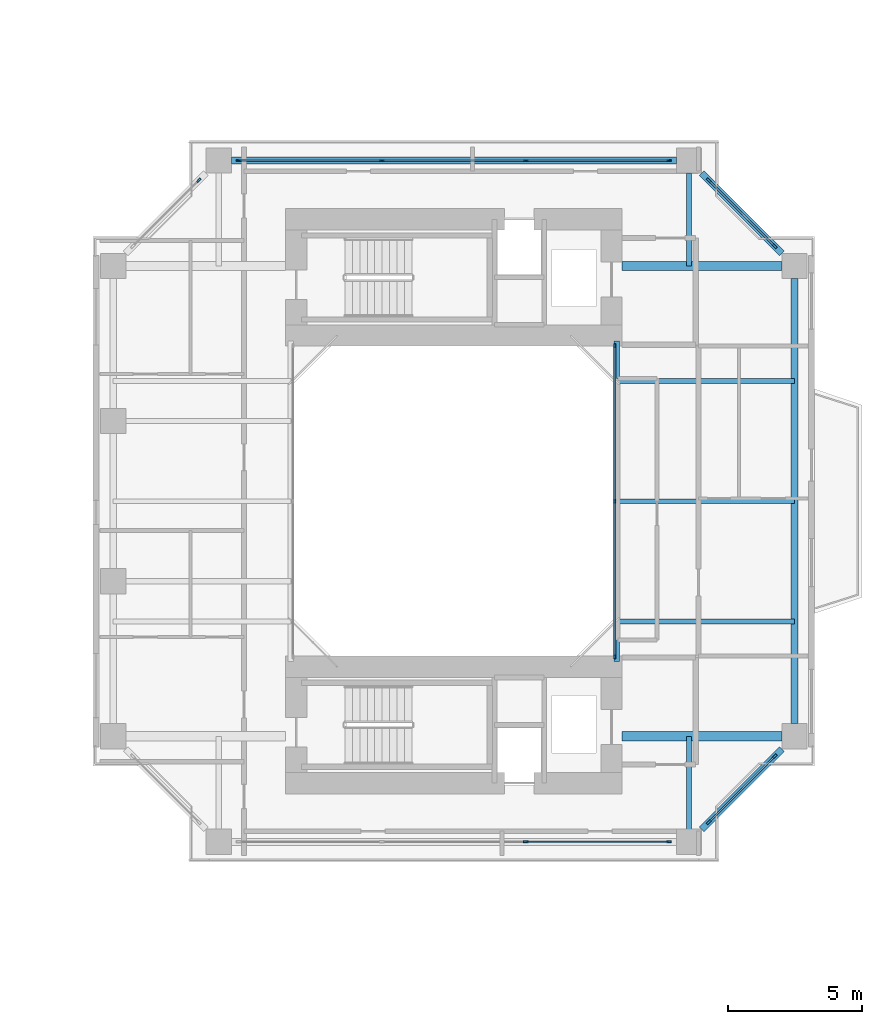
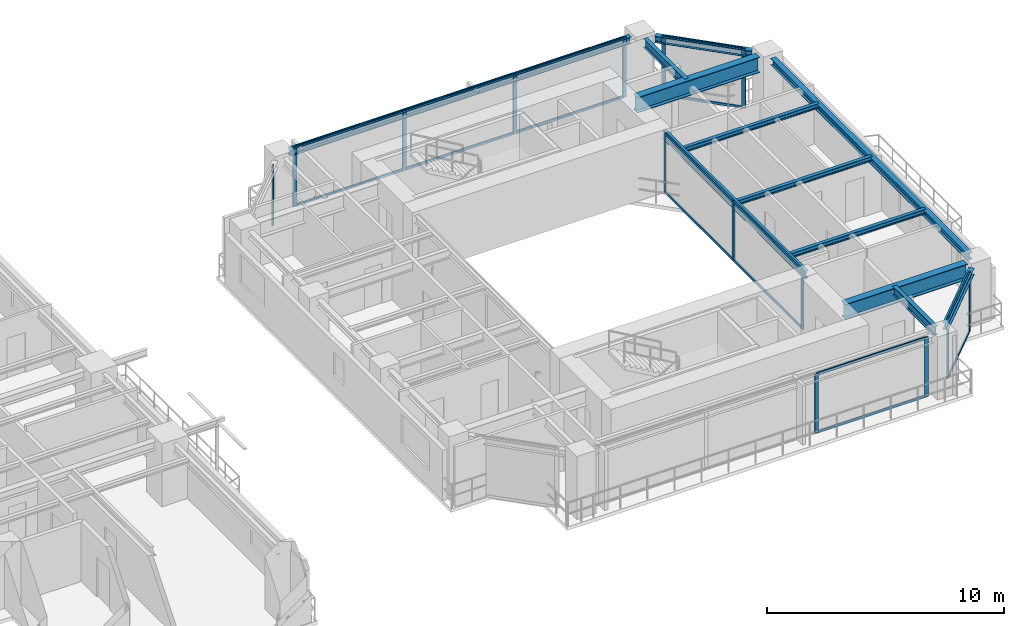
# One storey, part 10 of 23: 30 members, 12 beams, 6 elements without a shape of their own.
"""IFC4 building model written with IfcOpenShell, lengths in metres."""

from ifc_helpers import new_model, si_unit, direction, frame, origin, origin_2d, place, context, subcontext, project, spatial, rectangle, i_section, extrude, source, transform, mapped, material, layer, layer_set, material_profile, profile_set, type_object, element, aggregate, save


model = new_model("IFC4")

# Units and contexts
model_context = context("Model", 3, precision=1e-05, world=origin(), true_north=direction((0.0, 1.0)))
body_context = subcontext(model_context, "Body", "Model", "MODEL_VIEW")
ifc_project = project(units=[si_unit("LENGTHUNIT", "METRE"), si_unit("AREAUNIT", "SQUARE_METRE"), si_unit("VOLUMEUNIT", "CUBIC_METRE"), si_unit("PLANEANGLEUNIT", "RADIAN"), si_unit("MASSUNIT", "GRAM", prefix="KILO"), si_unit("THERMODYNAMICTEMPERATUREUNIT", "KELVIN"), si_unit("POWERUNIT", "WATT")], contexts=[model_context])

# Site, building, storey
site_placement = place(None, origin())
site = spatial("IfcSite", under=ifc_project, at=site_placement, CompositionType="ELEMENT")
building_placement = place(site_placement, origin())
building = spatial("IfcBuilding", under=site, at=building_placement, Name="Qiaomeng Ring Towers", CompositionType="ELEMENT")
storey_placement = place(building_placement, frame((0.0, 0.0, 29.5)))
storey = spatial("IfcBuildingStorey", under=building, at=storey_placement, Name="L07", CompositionType="ELEMENT", Elevation=29.5)

# Beams
ifc_material_1 = material(Name="Steel Q355B", Category="steel")
ifc_material_profile_1 = material_profile(ifc_material_1, i_section(OverallWidth=0.25, OverallDepth=0.340087890625, WebThickness=0.009033203125, FlangeThickness=0.013916015625, FilletRadius=0.02001953125, at=origin_2d()), Name="HM 340x250x9x14")
ifc_profile_set_1 = profile_set([ifc_material_profile_1], Name="Steel Q355B")
beam_type_1 = type_object("IfcBeamType", Name="STR-BM-HM340", PredefinedType="SPANDREL", material=ifc_profile_set_1)
shared_shape_1 = source(origin(), body_context, "Body", "SweptSolid", [
    extrude(i_section(OverallWidth=0.25, OverallDepth=0.340087890625, WebThickness=0.009033203125, FlangeThickness=0.013916015625, FilletRadius=0.02001953125, at=origin_2d()), origin(), (0.0, 0.0, 1.0), 16.65185546875),
])
for number, where, z_axis, x_axis, name in (
    (1, (73.25, 14.674072265625, 2.89990234375), (0.0, 1.0, 0.0), (-1.0, 0.0, 0.0), "L07 beam STR-SP-L07-T2-E1-E2"),
    (2, (68.825927734375, 35.75, 2.89990234375), (-1.0, 0.0, 0.0), (0.0, -1.0, 0.0), "L07 beam STR-SP-L07-T2-N2-N1"),
):
    element("IfcBeam", number, at=place(storey_placement, frame(where, z_axis=z_axis, x_axis=x_axis)), inside=storey, type_object=beam_type_1, Name=name, PredefinedType="SPANDREL", context=body_context, shape_type="MappedRepresentation", body=[
        mapped(shared_shape_1, transform((0.0, 0.0, 0.0), x_axis=(1.0, 0.0, 0.0), y_axis=(0.0, 1.0, 0.0), z_axis=(0.0, 0.0, 1.0), scale=1.0)),
    ])
shared_shape_2 = source(origin(), body_context, "Body", "SweptSolid", [
    extrude(i_section(OverallWidth=0.25, OverallDepth=0.340087890625, WebThickness=0.009033203125, FlangeThickness=0.013916015625, FilletRadius=0.02001953125, at=origin_2d()), origin(), (0.0, 0.0, 1.0), 4.244384765625),
])
for number, where, z_axis, x_axis, name in (
    (3, (69.7744140625, 10.724365234375, 2.89990234375), (0.707106781187, 0.707106781187, 0.0), (-0.707106781187, 0.707106781187, 0.0), "L07 beam STR-SP-L07-T2-S2-E1"),
    (4, (72.775634765625, 32.2744140625, 2.89990234375), (-0.707106781187, 0.707106781187, 0.0), (-0.707106781187, -0.707106781187, 0.0), "L07 beam STR-SP-L07-T2-E2-N2"),
):
    element("IfcBeam", number, at=place(storey_placement, frame(where, z_axis=z_axis, x_axis=x_axis)), inside=storey, type_object=beam_type_1, Name=name, PredefinedType="SPANDREL", context=body_context, shape_type="MappedRepresentation", body=[
        mapped(shared_shape_2, transform((0.0, 0.0, 0.0), x_axis=(1.0, 0.0, 0.0), y_axis=(0.0, 1.0, 0.0), z_axis=(0.0, 0.0, 1.0), scale=1.0)),
    ])
ifc_material_profile_2 = material_profile(ifc_material_1, i_section(OverallWidth=0.199951171875, OverallDepth=0.39990234375, WebThickness=0.008056640625, FlangeThickness=0.012939453125, FilletRadius=0.01611328125, at=origin_2d()), Name="HN 400x200x8x13")
ifc_profile_set_2 = profile_set([ifc_material_profile_2], Name="Steel Q355B")
beam_type_2 = type_object("IfcBeamType", Name="STR-BM-HN400", PredefinedType="SPANDREL", material=ifc_profile_set_2)
shared_shape_3 = source(origin(), body_context, "Body", "SweptSolid", [
    extrude(i_section(OverallWidth=0.199951171875, OverallDepth=0.39990234375, WebThickness=0.008056640625, FlangeThickness=0.012939453125, FilletRadius=0.01611328125, at=origin_2d()), origin(), (0.0, 0.0, 1.0), 12.0),
])
beam_placement = place(storey_placement, frame((66.60009765625, 17.0, 2.8701171875), z_axis=(0.0, 1.0, 0.0), x_axis=(-1.0, 0.0, 0.0)))
element("IfcBeam", 5, at=beam_placement, inside=storey, type_object=beam_type_2, Name="L07 beam STR-BM-L07-T2-WELL-E", PredefinedType="SPANDREL", context=body_context, shape_type="MappedRepresentation", body=[
    mapped(shared_shape_3, transform((0.0, 0.0, 0.0), x_axis=(1.0, 0.0, 0.0), y_axis=(0.0, 1.0, 0.0), z_axis=(0.0, 0.0, 1.0), scale=1.0)),
])
ifc_material_2 = material(Name="Steel Q390GJC", Category="steel")
ifc_material_profile_3 = material_profile(ifc_material_2, i_section(OverallWidth=0.35009765625, OverallDepth=0.800048828125, WebThickness=0.01611328125, FlangeThickness=0.028076171875, at=origin_2d()), Name="WH 800x350x16x28")
ifc_profile_set_3 = profile_set([ifc_material_profile_3], Name="Steel Q390GJC")
beam_type_3 = type_object("IfcBeamType", Name="STR-BM-WH800", PredefinedType="BEAM", material=ifc_profile_set_3)
shared_shape_4 = source(origin(), body_context, "Body", "SweptSolid", [
    extrude(i_section(OverallWidth=0.35009765625, OverallDepth=0.800048828125, WebThickness=0.01611328125, FlangeThickness=0.028076171875, at=origin_2d()), origin(), (0.0, 0.0, 1.0), 5.975830078125),
])
for number, where, z_axis, x_axis, name in (
    (6, (66.800048828125, 14.199951171875, 2.669921875), (1.0, 0.0, 0.0), (0.0, 1.0, 0.0), "L07 beam STR-BM-L07-T2-RAD-E1"),
    (7, (66.800048828125, 31.800048828125, 2.669921875), (1.0, 0.0, 0.0), (0.0, 1.0, 0.0), "L07 beam STR-BM-L07-T2-RAD-E2"),
):
    element("IfcBeam", number, at=place(storey_placement, frame(where, z_axis=z_axis, x_axis=x_axis)), inside=storey, type_object=beam_type_3, Name=name, PredefinedType="BEAM", context=body_context, shape_type="MappedRepresentation", body=[
        mapped(shared_shape_4, transform((0.0, 0.0, 0.0), x_axis=(1.0, 0.0, 0.0), y_axis=(0.0, 1.0, 0.0), z_axis=(0.0, 0.0, 1.0), scale=1.0)),
    ])
ifc_material_profile_4 = material_profile(ifc_material_1, i_section(OverallWidth=0.199951171875, OverallDepth=0.449951171875, WebThickness=0.009033203125, FlangeThickness=0.013916015625, FilletRadius=0.01806640625, at=origin_2d()), Name="HN 450x200x9x14")
ifc_profile_set_4 = profile_set([ifc_material_profile_4], Name="Steel Q355B")
beam_type_4 = type_object("IfcBeamType", Name="STR-BM-HN450", PredefinedType="SPANDREL", material=ifc_profile_set_4)
shared_shape_5 = source(origin(), body_context, "Body", "SweptSolid", [
    extrude(i_section(OverallWidth=0.199951171875, OverallDepth=0.449951171875, WebThickness=0.009033203125, FlangeThickness=0.013916015625, FilletRadius=0.01806640625, at=origin_2d()), origin(), (0.0, 0.0, 1.0), 3.475830078125),
])
for number, where, z_axis, x_axis, name in (
    (8, (69.300048828125, 35.27587890625, 2.844970703125), (0.0, -1.0, 0.0), (1.0, 0.0, 0.0), "L07 beam STR-BM-L07-T2-RAD-N2"),
    (9, (69.300048828125, 10.72412109375, 2.844970703125), (0.0, 1.0, 0.0), (-1.0, 0.0, 0.0), "L07 beam STR-BM-L07-T2-RAD-S2"),
):
    element("IfcBeam", number, at=place(storey_placement, frame(where, z_axis=z_axis, x_axis=x_axis)), inside=storey, type_object=beam_type_4, Name=name, PredefinedType="SPANDREL", context=body_context, shape_type="MappedRepresentation", body=[
        mapped(shared_shape_5, transform((0.0, 0.0, 0.0), x_axis=(1.0, 0.0, 0.0), y_axis=(0.0, 1.0, 0.0), z_axis=(0.0, 0.0, 1.0), scale=1.0)),
    ])
ifc_material_profile_5 = material_profile(ifc_material_1, i_section(OverallWidth=0.175048828125, OverallDepth=0.243896484375, WebThickness=0.007080078125, FlangeThickness=0.010986328125, FilletRadius=0.01611328125, at=origin_2d()), Name="HM 244x175x7x11")
ifc_profile_set_5 = profile_set([ifc_material_profile_5], Name="Steel Q355B")
beam_type_5 = type_object("IfcBeamType", Name="STR-BM-HM244", PredefinedType="JOIST", material=ifc_profile_set_5)
shared_shape_6 = source(origin(), body_context, "Body", "SweptSolid", [
    extrude(i_section(OverallWidth=0.175048828125, OverallDepth=0.243896484375, WebThickness=0.007080078125, FlangeThickness=0.010986328125, FilletRadius=0.01611328125, at=origin_2d()), origin(), (0.0, 0.0, 1.0), 6.64990234375),
])
for number, where, z_axis, x_axis, name in (
    (10, (66.60009765625, 18.5, 2.947998046875), (1.0, 0.0, 0.0), (0.0, 1.0, 0.0), "L07 beam STR-JST-L07-T2E-1"),
    (11, (66.60009765625, 23.0, 2.947998046875), (1.0, 0.0, 0.0), (0.0, 1.0, 0.0), "L07 beam STR-JST-L07-T2E-2"),
    (12, (66.60009765625, 27.5, 2.947998046875), (1.0, 0.0, 0.0), (0.0, 1.0, 0.0), "L07 beam STR-JST-L07-T2E-3"),
):
    element("IfcBeam", number, at=place(storey_placement, frame(where, z_axis=z_axis, x_axis=x_axis)), inside=storey, type_object=beam_type_5, Name=name, PredefinedType="JOIST", context=body_context, shape_type="MappedRepresentation", body=[
        mapped(shared_shape_6, transform((0.0, 0.0, 0.0), x_axis=(1.0, 0.0, 0.0), y_axis=(0.0, 1.0, 0.0), z_axis=(0.0, 0.0, 1.0), scale=1.0)),
    ])

# Curtain wall, members
ifc_material_3 = material(Name="Fluorocarbon dark-grey aluminium", Category="aluminium")
ifc_layer_1 = layer(ifc_material_3, 0.139892578125, Name="Fluorocarbon dark-grey aluminium")
ifc_layer_set_1 = layer_set([ifc_layer_1], Name="Fluorocarbon dark-grey aluminium")
curtain_wall_type_1 = type_object("IfcCurtainWallType", Name="ARC-CW-4", PredefinedType="NOTDEFINED", material=ifc_layer_set_1)
curtain_wall_1_placement = place(storey_placement, origin())
curtain_wall_1 = element("IfcCurtainWall", 13, at=curtain_wall_1_placement, inside=storey, type_object=curtain_wall_type_1, Name="L07 Curtain Wall CW4", PredefinedType="NOTDEFINED")
ifc_material_profile_6 = material_profile(ifc_material_3, rectangle(XDim=0.06494140625, YDim=0.159912109375, at=origin_2d()), Name="ALU MULL 65x160")
ifc_profile_set_6 = profile_set([ifc_material_profile_6], Name="Fluorocarbon dark-grey aluminium")
member_type_1 = type_object("IfcMemberType", Name="ARC-CWM-140", PredefinedType="MULLION", material=ifc_profile_set_6)
shared_shape_7 = source(origin(), body_context, "Body", "SweptSolid", [
    extrude(rectangle(XDim=0.06494140625, YDim=0.159912109375, at=origin_2d()), origin(), (0.0, 0.0, 1.0), 3.070068359375),
])
member_1_placement = place(storey_placement, frame((66.52001953125, 17.1826171875, 0.0), z_axis=(0.0, 0.0, 1.0), x_axis=(-1.0, 0.0, 0.0)))
member_1 = element("IfcMember", 14, at=member_1_placement, type_object=member_type_1, Name="CW4 mullion 1", PredefinedType="MULLION", context=body_context, shape_type="MappedRepresentation", body=[
    mapped(shared_shape_7, transform((0.0, 0.0, 0.0), x_axis=(1.0, 0.0, 0.0), y_axis=(0.0, 1.0, 0.0), z_axis=(0.0, 0.0, 1.0), scale=1.0)),
])
member_2_placement = place(storey_placement, frame((66.52001953125, 23.0, 0.0), z_axis=(0.0, 0.0, 1.0), x_axis=(-1.0, 0.0, 0.0)))
member_2 = element("IfcMember", 15, at=member_2_placement, type_object=member_type_1, Name="CW4 mullion 2", PredefinedType="MULLION", context=body_context, shape_type="MappedRepresentation", body=[
    mapped(shared_shape_7, transform((0.0, 0.0, 0.0), x_axis=(1.0, 0.0, 0.0), y_axis=(0.0, 1.0, 0.0), z_axis=(0.0, 0.0, 1.0), scale=1.0)),
])
member_3_placement = place(storey_placement, frame((66.52001953125, 28.8173828125, 0.0), z_axis=(0.0, 0.0, 1.0), x_axis=(-1.0, 0.0, 0.0)))
member_3 = element("IfcMember", 16, at=member_3_placement, type_object=member_type_1, Name="CW4 mullion 3", PredefinedType="MULLION", context=body_context, shape_type="MappedRepresentation", body=[
    mapped(shared_shape_7, transform((0.0, 0.0, 0.0), x_axis=(1.0, 0.0, 0.0), y_axis=(0.0, 1.0, 0.0), z_axis=(0.0, 0.0, 1.0), scale=1.0)),
])
ifc_material_profile_7 = material_profile(ifc_material_3, rectangle(XDim=0.06494140625, YDim=0.1298828125, at=origin_2d()), Name="ALU TRAN 65x130")
ifc_profile_set_7 = profile_set([ifc_material_profile_7], Name="Fluorocarbon dark-grey aluminium")
member_type_2 = type_object("IfcMemberType", Name="ARC-CWT-120", PredefinedType="USERDEFINED", material=ifc_profile_set_7)
shared_shape_8 = source(origin(), body_context, "Body", "SweptSolid", [
    extrude(rectangle(XDim=0.06494140625, YDim=0.1298828125, at=origin_2d()), origin(), (0.0, 0.0, 1.0), 5.75244140625),
])
member_4_placement = place(storey_placement, frame((66.52001953125, 17.215087890625, 0.032470703125), z_axis=(0.0, 1.0, 0.0), x_axis=(-1.0, 0.0, 0.0)))
member_4 = element("IfcMember", 17, at=member_4_placement, type_object=member_type_2, Name="CW4 transom 1.1", ObjectType="TRANSOM", PredefinedType="USERDEFINED", context=body_context, shape_type="MappedRepresentation", body=[
    mapped(shared_shape_8, transform((0.0, 0.0, 0.0), x_axis=(1.0, 0.0, 0.0), y_axis=(0.0, 1.0, 0.0), z_axis=(0.0, 0.0, 1.0), scale=1.0)),
])
member_5_placement = place(storey_placement, frame((66.52001953125, 17.215087890625, 3.03759765625), z_axis=(0.0, 1.0, 0.0), x_axis=(-1.0, 0.0, 0.0)))
member_5 = element("IfcMember", 18, at=member_5_placement, type_object=member_type_2, Name="CW4 transom 1.2", ObjectType="TRANSOM", PredefinedType="USERDEFINED", context=body_context, shape_type="MappedRepresentation", body=[
    mapped(shared_shape_8, transform((0.0, 0.0, 0.0), x_axis=(1.0, 0.0, 0.0), y_axis=(0.0, 1.0, 0.0), z_axis=(0.0, 0.0, 1.0), scale=1.0)),
])
member_6_placement = place(storey_placement, frame((66.52001953125, 23.032470703125, 0.032470703125), z_axis=(0.0, 1.0, 0.0), x_axis=(-1.0, 0.0, 0.0)))
member_6 = element("IfcMember", 19, at=member_6_placement, type_object=member_type_2, Name="CW4 transom 2.1", ObjectType="TRANSOM", PredefinedType="USERDEFINED", context=body_context, shape_type="MappedRepresentation", body=[
    mapped(shared_shape_8, transform((0.0, 0.0, 0.0), x_axis=(1.0, 0.0, 0.0), y_axis=(0.0, 1.0, 0.0), z_axis=(0.0, 0.0, 1.0), scale=1.0)),
])
member_7_placement = place(storey_placement, frame((66.52001953125, 23.032470703125, 3.03759765625), z_axis=(0.0, 1.0, 0.0), x_axis=(-1.0, 0.0, 0.0)))
member_7 = element("IfcMember", 20, at=member_7_placement, type_object=member_type_2, Name="CW4 transom 2.2", ObjectType="TRANSOM", PredefinedType="USERDEFINED", context=body_context, shape_type="MappedRepresentation", body=[
    mapped(shared_shape_8, transform((0.0, 0.0, 0.0), x_axis=(1.0, 0.0, 0.0), y_axis=(0.0, 1.0, 0.0), z_axis=(0.0, 0.0, 1.0), scale=1.0)),
])
aggregate(curtain_wall_1, [member_1, member_2, member_3, member_4, member_5, member_6, member_7])

ifc_layer_2 = layer(ifc_material_3, 0.14990234375, Name="Fluorocarbon dark-grey aluminium")
ifc_layer_set_2 = layer_set([ifc_layer_2], Name="Fluorocarbon dark-grey aluminium")
curtain_wall_type_2 = type_object("IfcCurtainWallType", Name="ARC-CW-5", PredefinedType="NOTDEFINED", material=ifc_layer_set_2)
curtain_wall_2_placement = place(storey_placement, origin())
curtain_wall_2 = element("IfcCurtainWall", 21, at=curtain_wall_2_placement, inside=storey, type_object=curtain_wall_type_2, Name="L07 Curtain Wall CW5", PredefinedType="NOTDEFINED")
ifc_material_profile_8 = material_profile(ifc_material_3, rectangle(XDim=0.070068359375, YDim=0.179931640625, at=origin_2d()), Name="ALU MULL 70x180")
ifc_profile_set_8 = profile_set([ifc_material_profile_8], Name="Fluorocarbon dark-grey aluminium")
member_type_3 = type_object("IfcMemberType", Name="ARC-CWM-160", PredefinedType="MULLION", material=ifc_profile_set_8)
shared_shape_9 = source(origin(), body_context, "Body", "SweptSolid", [
    extrude(rectangle(XDim=0.070068359375, YDim=0.179931640625, at=origin_2d()), origin(), (0.0, 0.0, 1.0), 3.070068359375),
])
member_8_placement = place(storey_placement, frame((52.449951171875, 35.75, 0.0), z_axis=(0.0, 0.0, 1.0), x_axis=(0.0, 1.0, 0.0)))
member_8 = element("IfcMember", 22, at=member_8_placement, type_object=member_type_3, Name="CW5 mullion 1", PredefinedType="MULLION", context=body_context, shape_type="MappedRepresentation", body=[
    mapped(shared_shape_9, transform((0.0, 0.0, 0.0), x_axis=(1.0, 0.0, 0.0), y_axis=(0.0, 1.0, 0.0), z_axis=(0.0, 0.0, 1.0), scale=1.0)),
])
member_9_placement = place(storey_placement, frame((57.804931640625, 35.75, 0.0), z_axis=(0.0, 0.0, 1.0), x_axis=(0.0, 1.0, 0.0)))
member_9 = element("IfcMember", 23, at=member_9_placement, type_object=member_type_3, Name="CW5 mullion 2", PredefinedType="MULLION", context=body_context, shape_type="MappedRepresentation", body=[
    mapped(shared_shape_9, transform((0.0, 0.0, 0.0), x_axis=(1.0, 0.0, 0.0), y_axis=(0.0, 1.0, 0.0), z_axis=(0.0, 0.0, 1.0), scale=1.0)),
])
member_10_placement = place(storey_placement, frame((63.195068359375, 35.75, 0.0), z_axis=(0.0, 0.0, 1.0), x_axis=(0.0, 1.0, 0.0)))
member_10 = element("IfcMember", 24, at=member_10_placement, type_object=member_type_3, Name="CW5 mullion 3", PredefinedType="MULLION", context=body_context, shape_type="MappedRepresentation", body=[
    mapped(shared_shape_9, transform((0.0, 0.0, 0.0), x_axis=(1.0, 0.0, 0.0), y_axis=(0.0, 1.0, 0.0), z_axis=(0.0, 0.0, 1.0), scale=1.0)),
])
member_11_placement = place(storey_placement, frame((68.550048828125, 35.75, 0.0), z_axis=(0.0, 0.0, 1.0), x_axis=(0.0, 1.0, 0.0)))
member_11 = element("IfcMember", 25, at=member_11_placement, type_object=member_type_3, Name="CW5 mullion 4", PredefinedType="MULLION", context=body_context, shape_type="MappedRepresentation", body=[
    mapped(shared_shape_9, transform((0.0, 0.0, 0.0), x_axis=(1.0, 0.0, 0.0), y_axis=(0.0, 1.0, 0.0), z_axis=(0.0, 0.0, 1.0), scale=1.0)),
])

curtain_wall_3_placement = place(storey_placement, origin())
curtain_wall_3 = element("IfcCurtainWall", 26, at=curtain_wall_3_placement, inside=storey, type_object=curtain_wall_type_2, Name="L07 Curtain Wall CW5", PredefinedType="NOTDEFINED")
member_12_placement = place(storey_placement, frame((70.039794921875, 10.98974609375, 0.0), z_axis=(0.0, 0.0, 1.0), x_axis=(-0.707106781187, 0.707106781187, 0.0)))
member_12 = element("IfcMember", 27, at=member_12_placement, type_object=member_type_3, Name="CW5 mullion 1", PredefinedType="MULLION", context=body_context, shape_type="MappedRepresentation", body=[
    mapped(shared_shape_9, transform((0.0, 0.0, 0.0), x_axis=(1.0, 0.0, 0.0), y_axis=(0.0, 1.0, 0.0), z_axis=(0.0, 0.0, 1.0), scale=1.0)),
])
member_13_placement = place(storey_placement, frame((72.51025390625, 13.460205078125, 0.0), z_axis=(0.0, 0.0, 1.0), x_axis=(-0.707106781187, 0.707106781187, 0.0)))
member_13 = element("IfcMember", 28, at=member_13_placement, type_object=member_type_3, Name="CW5 mullion 2", PredefinedType="MULLION", context=body_context, shape_type="MappedRepresentation", body=[
    mapped(shared_shape_9, transform((0.0, 0.0, 0.0), x_axis=(1.0, 0.0, 0.0), y_axis=(0.0, 1.0, 0.0), z_axis=(0.0, 0.0, 1.0), scale=1.0)),
])

curtain_wall_4_placement = place(storey_placement, origin())
curtain_wall_4 = element("IfcCurtainWall", 29, at=curtain_wall_4_placement, inside=storey, type_object=curtain_wall_type_2, Name="L07 Curtain Wall CW5", PredefinedType="NOTDEFINED")
member_14_placement = place(storey_placement, frame((72.51025390625, 32.539794921875, 0.0), z_axis=(0.0, 0.0, 1.0), x_axis=(-0.707106781187, -0.707106781187, 0.0)))
member_14 = element("IfcMember", 30, at=member_14_placement, type_object=member_type_3, Name="CW5 mullion 1", PredefinedType="MULLION", context=body_context, shape_type="MappedRepresentation", body=[
    mapped(shared_shape_9, transform((0.0, 0.0, 0.0), x_axis=(1.0, 0.0, 0.0), y_axis=(0.0, 1.0, 0.0), z_axis=(0.0, 0.0, 1.0), scale=1.0)),
])
member_15_placement = place(storey_placement, frame((70.039794921875, 35.01025390625, 0.0), z_axis=(0.0, 0.0, 1.0), x_axis=(-0.707106781187, -0.707106781187, 0.0)))
member_15 = element("IfcMember", 31, at=member_15_placement, type_object=member_type_3, Name="CW5 mullion 2", PredefinedType="MULLION", context=body_context, shape_type="MappedRepresentation", body=[
    mapped(shared_shape_9, transform((0.0, 0.0, 0.0), x_axis=(1.0, 0.0, 0.0), y_axis=(0.0, 1.0, 0.0), z_axis=(0.0, 0.0, 1.0), scale=1.0)),
])

# Curtain wall, member
curtain_wall_5_placement = place(storey_placement, origin())
curtain_wall_5 = element("IfcCurtainWall", 32, at=curtain_wall_5_placement, inside=storey, type_object=curtain_wall_type_2, Name="L07 Curtain Wall CW5", PredefinedType="NOTDEFINED")
member_16_placement = place(storey_placement, frame((50.960205078125, 35.01025390625, 0.0), z_axis=(0.0, 0.0, 1.0), x_axis=(0.707106781187, -0.707106781187, 0.0)))
member_16 = element("IfcMember", 33, at=member_16_placement, type_object=member_type_3, Name="CW5 mullion 1", PredefinedType="MULLION", context=body_context, shape_type="MappedRepresentation", body=[
    mapped(shared_shape_9, transform((0.0, 0.0, 0.0), x_axis=(1.0, 0.0, 0.0), y_axis=(0.0, 1.0, 0.0), z_axis=(0.0, 0.0, 1.0), scale=1.0)),
])
aggregate(curtain_wall_5, [member_16])

# Curtain wall, members
curtain_wall_6_placement = place(storey_placement, origin())
curtain_wall_6 = element("IfcCurtainWall", 34, at=curtain_wall_6_placement, inside=storey, type_object=curtain_wall_type_2, Name="L07 Curtain Wall CW5", PredefinedType="NOTDEFINED")
member_17_placement = place(storey_placement, frame((63.195068359375, 10.25, 0.0), z_axis=(0.0, 0.0, 1.0), x_axis=(0.0, 1.0, 0.0)))
member_17 = element("IfcMember", 35, at=member_17_placement, type_object=member_type_3, Name="CW5 mullion 3", PredefinedType="MULLION", context=body_context, shape_type="MappedRepresentation", body=[
    mapped(shared_shape_9, transform((0.0, 0.0, 0.0), x_axis=(1.0, 0.0, 0.0), y_axis=(0.0, 1.0, 0.0), z_axis=(0.0, 0.0, 1.0), scale=1.0)),
])
member_18_placement = place(storey_placement, frame((68.550048828125, 10.25, 0.0), z_axis=(0.0, 0.0, 1.0), x_axis=(0.0, 1.0, 0.0)))
member_18 = element("IfcMember", 36, at=member_18_placement, type_object=member_type_3, Name="CW5 mullion 4", PredefinedType="MULLION", context=body_context, shape_type="MappedRepresentation", body=[
    mapped(shared_shape_9, transform((0.0, 0.0, 0.0), x_axis=(1.0, 0.0, 0.0), y_axis=(0.0, 1.0, 0.0), z_axis=(0.0, 0.0, 1.0), scale=1.0)),
])

# Member
shared_shape_10 = source(origin(), body_context, "Body", "SweptSolid", [
    extrude(rectangle(XDim=0.06494140625, YDim=0.1298828125, at=origin_2d()), origin(), (0.0, 0.0, 1.0), 5.284912109375),
])
member_19_placement = place(storey_placement, frame((52.485107421875, 35.75, 0.032470703125), z_axis=(1.0, 0.0, 0.0), x_axis=(0.0, 1.0, 0.0)))
member_19 = element("IfcMember", 37, at=member_19_placement, type_object=member_type_2, Name="CW5 transom 1.1", ObjectType="TRANSOM", PredefinedType="USERDEFINED", context=body_context, shape_type="MappedRepresentation", body=[
    mapped(shared_shape_10, transform((0.0, 0.0, 0.0), x_axis=(1.0, 0.0, 0.0), y_axis=(0.0, 1.0, 0.0), z_axis=(0.0, 0.0, 1.0), scale=1.0)),
])

member_20_placement = place(storey_placement, frame((52.485107421875, 35.75, 3.03759765625), z_axis=(1.0, 0.0, 0.0), x_axis=(0.0, 1.0, 0.0)))
member_20 = element("IfcMember", 38, at=member_20_placement, type_object=member_type_2, Name="CW5 transom 1.2", ObjectType="TRANSOM", PredefinedType="USERDEFINED", context=body_context, shape_type="MappedRepresentation", body=[
    mapped(shared_shape_10, transform((0.0, 0.0, 0.0), x_axis=(1.0, 0.0, 0.0), y_axis=(0.0, 1.0, 0.0), z_axis=(0.0, 0.0, 1.0), scale=1.0)),
])

member_21_placement = place(storey_placement, frame((63.22998046875, 35.75, 0.032470703125), z_axis=(1.0, 0.0, 0.0), x_axis=(0.0, 1.0, 0.0)))
member_21 = element("IfcMember", 39, at=member_21_placement, type_object=member_type_2, Name="CW5 transom 3.1", ObjectType="TRANSOM", PredefinedType="USERDEFINED", context=body_context, shape_type="MappedRepresentation", body=[
    mapped(shared_shape_10, transform((0.0, 0.0, 0.0), x_axis=(1.0, 0.0, 0.0), y_axis=(0.0, 1.0, 0.0), z_axis=(0.0, 0.0, 1.0), scale=1.0)),
])

member_22_placement = place(storey_placement, frame((63.22998046875, 35.75, 3.03759765625), z_axis=(1.0, 0.0, 0.0), x_axis=(0.0, 1.0, 0.0)))
member_22 = element("IfcMember", 40, at=member_22_placement, type_object=member_type_2, Name="CW5 transom 3.2", ObjectType="TRANSOM", PredefinedType="USERDEFINED", context=body_context, shape_type="MappedRepresentation", body=[
    mapped(shared_shape_10, transform((0.0, 0.0, 0.0), x_axis=(1.0, 0.0, 0.0), y_axis=(0.0, 1.0, 0.0), z_axis=(0.0, 0.0, 1.0), scale=1.0)),
])

member_23_placement = place(storey_placement, frame((63.22998046875, 10.25, 0.032470703125), z_axis=(1.0, 0.0, 0.0), x_axis=(0.0, 1.0, 0.0)))
member_23 = element("IfcMember", 41, at=member_23_placement, type_object=member_type_2, Name="CW5 transom 3.1", ObjectType="TRANSOM", PredefinedType="USERDEFINED", context=body_context, shape_type="MappedRepresentation", body=[
    mapped(shared_shape_10, transform((0.0, 0.0, 0.0), x_axis=(1.0, 0.0, 0.0), y_axis=(0.0, 1.0, 0.0), z_axis=(0.0, 0.0, 1.0), scale=1.0)),
])

member_24_placement = place(storey_placement, frame((63.22998046875, 10.25, 3.03759765625), z_axis=(1.0, 0.0, 0.0), x_axis=(0.0, 1.0, 0.0)))
member_24 = element("IfcMember", 42, at=member_24_placement, type_object=member_type_2, Name="CW5 transom 3.2", ObjectType="TRANSOM", PredefinedType="USERDEFINED", context=body_context, shape_type="MappedRepresentation", body=[
    mapped(shared_shape_10, transform((0.0, 0.0, 0.0), x_axis=(1.0, 0.0, 0.0), y_axis=(0.0, 1.0, 0.0), z_axis=(0.0, 0.0, 1.0), scale=1.0)),
])

aggregate(curtain_wall_6, [member_17, member_18, member_23, member_24])

shared_shape_11 = source(origin(), body_context, "Body", "SweptSolid", [
    extrude(rectangle(XDim=0.06494140625, YDim=0.1298828125, at=origin_2d()), origin(), (0.0, 0.0, 1.0), 5.31982421875),
])
member_25_placement = place(storey_placement, frame((57.840087890625, 35.75, 0.032470703125), z_axis=(1.0, 0.0, 0.0), x_axis=(0.0, 1.0, 0.0)))
member_25 = element("IfcMember", 43, at=member_25_placement, type_object=member_type_2, Name="CW5 transom 2.1", ObjectType="TRANSOM", PredefinedType="USERDEFINED", context=body_context, shape_type="MappedRepresentation", body=[
    mapped(shared_shape_11, transform((0.0, 0.0, 0.0), x_axis=(1.0, 0.0, 0.0), y_axis=(0.0, 1.0, 0.0), z_axis=(0.0, 0.0, 1.0), scale=1.0)),
])

member_26_placement = place(storey_placement, frame((57.840087890625, 35.75, 3.03759765625), z_axis=(1.0, 0.0, 0.0), x_axis=(0.0, 1.0, 0.0)))
member_26 = element("IfcMember", 44, at=member_26_placement, type_object=member_type_2, Name="CW5 transom 2.2", ObjectType="TRANSOM", PredefinedType="USERDEFINED", context=body_context, shape_type="MappedRepresentation", body=[
    mapped(shared_shape_11, transform((0.0, 0.0, 0.0), x_axis=(1.0, 0.0, 0.0), y_axis=(0.0, 1.0, 0.0), z_axis=(0.0, 0.0, 1.0), scale=1.0)),
])

aggregate(curtain_wall_2, [member_8, member_9, member_10, member_11, member_19, member_20, member_25, member_26, member_21, member_22])

shared_shape_12 = source(origin(), body_context, "Body", "SweptSolid", [
    extrude(rectangle(XDim=0.06494140625, YDim=0.1298828125, at=origin_2d()), origin(), (0.0, 0.0, 1.0), 3.424072265625),
])
member_27_placement = place(storey_placement, frame((70.064453125, 11.014404296875, 0.032470703125), z_axis=(0.707106781187, 0.707106781187, 0.0), x_axis=(-0.707106781187, 0.707106781187, 0.0)))
member_27 = element("IfcMember", 45, at=member_27_placement, type_object=member_type_2, Name="CW5 transom 1.1", ObjectType="TRANSOM", PredefinedType="USERDEFINED", context=body_context, shape_type="MappedRepresentation", body=[
    mapped(shared_shape_12, transform((0.0, 0.0, 0.0), x_axis=(1.0, 0.0, 0.0), y_axis=(0.0, 1.0, 0.0), z_axis=(0.0, 0.0, 1.0), scale=1.0)),
])

member_28_placement = place(storey_placement, frame((70.064453125, 11.014404296875, 3.03759765625), z_axis=(0.707106781187, 0.707106781187, 0.0), x_axis=(-0.707106781187, 0.707106781187, 0.0)))
member_28 = element("IfcMember", 46, at=member_28_placement, type_object=member_type_2, Name="CW5 transom 1.2", ObjectType="TRANSOM", PredefinedType="USERDEFINED", context=body_context, shape_type="MappedRepresentation", body=[
    mapped(shared_shape_12, transform((0.0, 0.0, 0.0), x_axis=(1.0, 0.0, 0.0), y_axis=(0.0, 1.0, 0.0), z_axis=(0.0, 0.0, 1.0), scale=1.0)),
])

aggregate(curtain_wall_3, [member_12, member_13, member_27, member_28])

member_29_placement = place(storey_placement, frame((72.485595703125, 32.564453125, 0.032470703125), z_axis=(-0.707106781187, 0.707106781187, 0.0), x_axis=(-0.707106781187, -0.707106781187, 0.0)))
member_29 = element("IfcMember", 47, at=member_29_placement, type_object=member_type_2, Name="CW5 transom 1.1", ObjectType="TRANSOM", PredefinedType="USERDEFINED", context=body_context, shape_type="MappedRepresentation", body=[
    mapped(shared_shape_12, transform((0.0, 0.0, 0.0), x_axis=(1.0, 0.0, 0.0), y_axis=(0.0, 1.0, 0.0), z_axis=(0.0, 0.0, 1.0), scale=1.0)),
])

member_30_placement = place(storey_placement, frame((72.485595703125, 32.564453125, 3.03759765625), z_axis=(-0.707106781187, 0.707106781187, 0.0), x_axis=(-0.707106781187, -0.707106781187, 0.0)))
member_30 = element("IfcMember", 48, at=member_30_placement, type_object=member_type_2, Name="CW5 transom 1.2", ObjectType="TRANSOM", PredefinedType="USERDEFINED", context=body_context, shape_type="MappedRepresentation", body=[
    mapped(shared_shape_12, transform((0.0, 0.0, 0.0), x_axis=(1.0, 0.0, 0.0), y_axis=(0.0, 1.0, 0.0), z_axis=(0.0, 0.0, 1.0), scale=1.0)),
])

aggregate(curtain_wall_4, [member_14, member_15, member_29, member_30])

save(model, "model.ifc")
